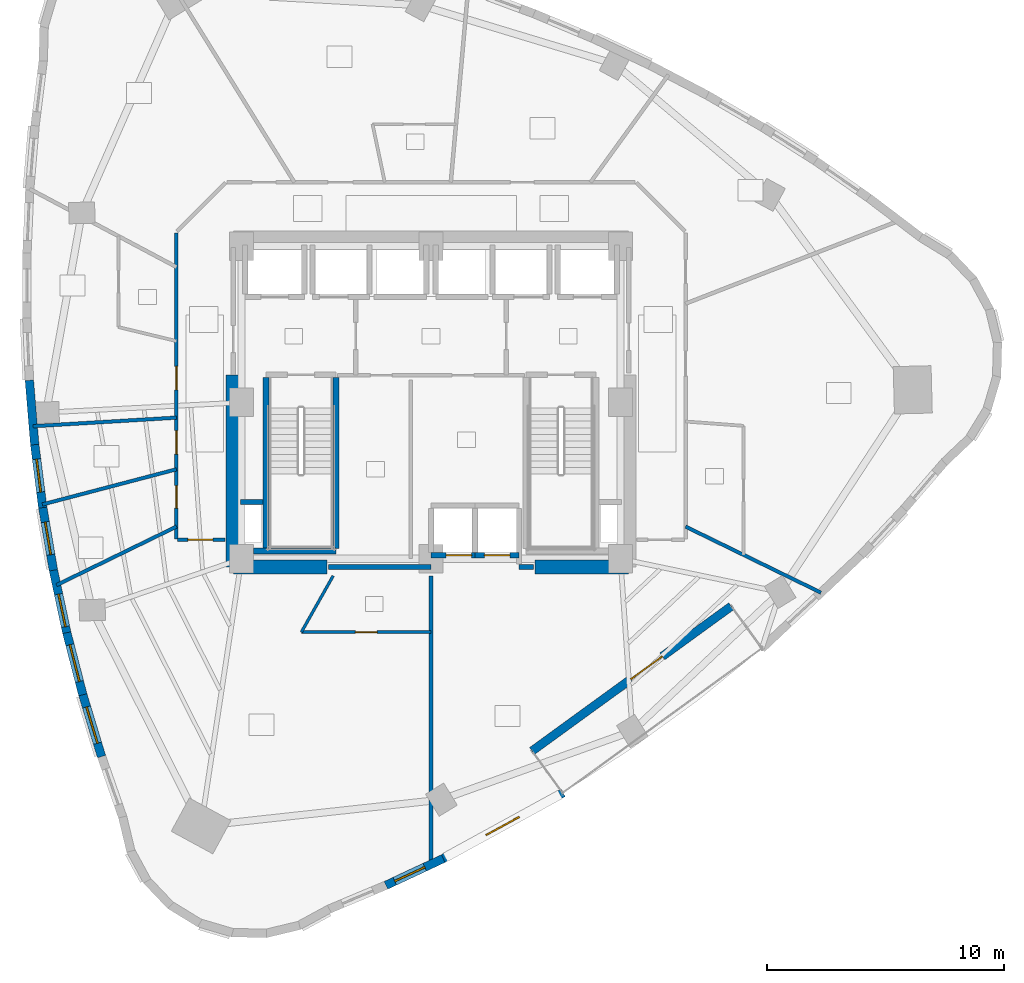
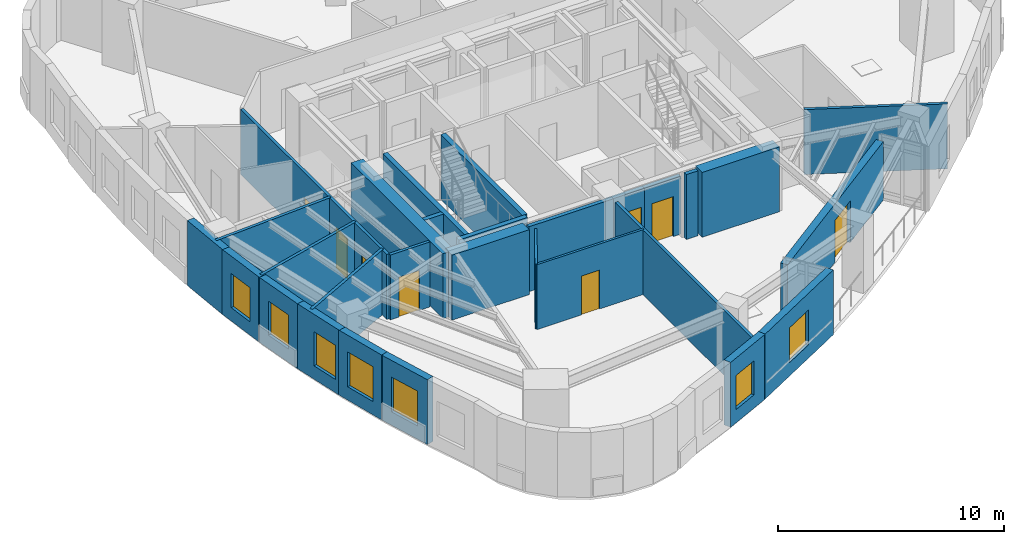
# One storey, part 5 of 11: 29 walls, 8 doors, 7 windows, 15 openings.
"""IFC4 building model written with IfcOpenShell, lengths in metres."""

from ifc_helpers import new_model, si_unit, direction, frame, frame_2d, origin, place, context, subcontext, project, spatial, rectangle, extrude, material, layer, layer_set, type_object, element, fill, save


model = new_model("IFC4")

# Units and contexts
model_context = context("Model", 3, precision=1e-05, world=origin(), true_north=direction((0.0, 1.0)))
body_context = subcontext(model_context, "Body", "Model", "MODEL_VIEW")
ifc_project = project(units=[si_unit("LENGTHUNIT", "METRE"), si_unit("AREAUNIT", "SQUARE_METRE"), si_unit("VOLUMEUNIT", "CUBIC_METRE"), si_unit("PLANEANGLEUNIT", "RADIAN"), si_unit("MASSUNIT", "GRAM", prefix="KILO")], contexts=[model_context])

# Site, building, storey
site_placement = place(None, origin())
site = spatial("IfcSite", under=ifc_project, at=site_placement, CompositionType="ELEMENT")
building_placement = place(site_placement, origin())
building = spatial("IfcBuilding", under=site, at=building_placement, Name="Ndelora Gate Hotel", CompositionType="ELEMENT")
storey_placement = place(building_placement, frame((0.0, 0.0, 146.0)))
storey = spatial("IfcBuildingStorey", under=building, at=storey_placement, Name="L36", CompositionType="ELEMENT", Elevation=146.0)

# Wall, opening, door
ifc_material_1 = material(Name="Clay Brick Masonry", Category="masonry")
ifc_layer_1 = layer(ifc_material_1, 0.360107421875)
ifc_layer_set_1 = layer_set([ifc_layer_1], Name="Clay Brick Masonry")
wall_type_1 = type_object("IfcWallType", Name="WL-BRICK-360", PredefinedType="SOLIDWALL", material=ifc_layer_set_1)
wall_1_placement = place(storey_placement, frame((12.68017578125, -8.60595703125, 0.0), z_axis=(0.0, 0.0, 1.0), x_axis=(-0.809015154073, -0.587787785243, 0.0)))
wall_1 = element("IfcWall", 1, at=wall_1_placement, inside=storey, type_object=wall_type_1, Name="L36 Sky-Garden Loggia Rear Brick Wall", PredefinedType="SOLIDWALL", context=body_context, shape_type="SweptSolid", body=[
    extrude(rectangle(XDim=10.400146484375, YDim=0.360107421875, at=frame_2d((5.2001953125, 0.0))), origin(), (0.0, 0.0, 1.0), 3.14990234375),
])
opening_1_placement = place(wall_1_placement, frame((3.60009765625, 0.0, 0.0)))
opening_1 = element("IfcOpeningElement", 2, at=opening_1_placement, cuts=wall_1, Name="Opening TD1", PredefinedType="OPENING", context=body_context, shape_type="SweptSolid", body=[
    extrude(rectangle(XDim=1.64990234375, YDim=2.25, at=frame_2d((0.824951171875, 1.125))), frame((0.0, 0.18994140625, 0.0), z_axis=(0.0, -1.0, 0.0), x_axis=(1.0, 0.0, 0.0)), (0.0, 0.0, 1.0), 0.380126953125),
])
ifc_material_2 = material(Name="Architectural Bronze Glazed Door", Category="metal")
door_type_1 = type_object("IfcDoorType", Name="DR-TER-1650", OperationType="DOUBLE_DOOR_SINGLE_SWING", PredefinedType="DOOR", material=ifc_material_2)
door_1_placement = place(opening_1_placement, origin())
door_1 = element("IfcDoor", 3, at=door_1_placement, inside=storey, type_object=door_type_1, Name="L36 Sky-Garden Terrace Double Door TD1", OperationType="DOUBLE_DOOR_SINGLE_SWING", OverallHeight=2.25, OverallWidth=1.64990234375, PredefinedType="DOOR", context=body_context, shape_type="SweptSolid", body=[
    extrude(rectangle(XDim=1.64990234375, YDim=2.25, at=frame_2d((0.824951171875, 1.125))), frame((0.0, 0.02490234375, 0.0), z_axis=(0.0, -1.0, 0.0), x_axis=(1.0, 0.0, 0.0)), (0.0, 0.0, 1.0), 0.050048828125),
])
fill(opening_1, door_1)

# Wall
wall_2_placement = place(storey_placement, frame((-16.73583984375, -1.7841796875, 0.0), z_axis=(0.0, 0.0, 1.0), x_axis=(-0.083363780418, 0.99651918201, 0.0)))
element("IfcWall", 4, at=wall_2_placement, inside=storey, type_object=wall_type_1, Name="L36 Tower Brick Pier-and-Spandrel Wall TWR-14", PredefinedType="SOLIDWALL", context=body_context, shape_type="SweptSolid", body=[
    extrude(rectangle(XDim=2.7294921875, YDim=0.360107421875, at=frame_2d((1.36474609375, 0.0))), origin(), (0.0, 0.0, 1.0), 3.5),
])

# Wall, opening, window
wall_3_placement = place(storey_placement, frame((-16.398193359375, -4.4423828125, 0.0), z_axis=(0.0, 0.0, 1.0), x_axis=(-0.125663758649, 0.992072890347, 0.0)))
wall_3 = element("IfcWall", 5, at=wall_3_placement, inside=storey, type_object=wall_type_1, Name="L36 Tower Brick Pier-and-Spandrel Wall TWR-15", PredefinedType="SOLIDWALL", context=body_context, shape_type="SweptSolid", body=[
    extrude(rectangle(XDim=2.729736328125, YDim=0.360107421875, at=frame_2d((1.36474609375, 0.0))), origin(), (0.0, 0.0, 1.0), 3.5),
])
opening_2_placement = place(wall_3_placement, frame((0.664794921875, 0.0, 0.719970703125)))
opening_2 = element("IfcOpeningElement", 6, at=opening_2_placement, cuts=wall_3, Name="Opening W02", PredefinedType="OPENING", context=body_context, shape_type="SweptSolid", body=[
    extrude(rectangle(XDim=1.39990234375, YDim=1.840087890625, at=frame_2d((0.699951171875, 0.919921875))), frame((0.0, 0.18994140625, 0.0), z_axis=(0.0, -1.0, 0.0), x_axis=(1.0, 0.0, 0.0)), (0.0, 0.0, 1.0), 0.380126953125),
])
ifc_material_3 = material(Name="Insulated Low-E Double Glazing in Bronze Aluminium Frame", Category="aluminium")
window_type_1 = type_object("IfcWindowType", Name="WN-DEEP-1400", PartitioningType="SINGLE_PANEL", PredefinedType="WINDOW", material=ifc_material_3)
window_1_placement = place(opening_2_placement, origin())
window_1 = element("IfcWindow", 7, at=window_1_placement, inside=storey, type_object=window_type_1, Name="L36 Deep-Set Brick-Pier Window W02", OverallHeight=1.840087890625, OverallWidth=1.39990234375, PartitioningType="SINGLE_PANEL", PredefinedType="WINDOW", context=body_context, shape_type="SweptSolid", body=[
    extrude(rectangle(XDim=1.39990234375, YDim=1.840087890625, at=frame_2d((0.699951171875, 0.919921875))), frame((0.0, 0.030029296875, 0.0), z_axis=(0.0, -1.0, 0.0), x_axis=(1.0, 0.0, 0.0)), (0.0, 0.0, 1.0), 0.06005859375),
])
fill(opening_2, window_1)

wall_4_placement = place(storey_placement, frame((-15.947265625, -7.088623046875, 0.0), z_axis=(0.0, 0.0, 1.0), x_axis=(-0.167598097405, 0.985855404076, 0.0)))
wall_4 = element("IfcWall", 8, at=wall_4_placement, inside=storey, type_object=wall_type_1, Name="L36 Tower Brick Pier-and-Spandrel Wall TWR-16", PredefinedType="SOLIDWALL", context=body_context, shape_type="SweptSolid", body=[
    extrude(rectangle(XDim=2.734130859375, YDim=0.360107421875, at=frame_2d((1.3671875, 0.0))), origin(), (0.0, 0.0, 1.0), 3.5),
])
opening_3_placement = place(wall_4_placement, frame((0.667236328125, 0.0, 0.719970703125)))
opening_3 = element("IfcOpeningElement", 9, at=opening_3_placement, cuts=wall_4, Name="Opening W02", PredefinedType="OPENING", context=body_context, shape_type="SweptSolid", body=[
    extrude(rectangle(XDim=1.39990234375, YDim=1.840087890625, at=frame_2d((0.699951171875, 0.919921875))), frame((0.0, 0.18994140625, 0.0), z_axis=(0.0, -1.0, 0.0), x_axis=(1.0, 0.0, 0.0)), (0.0, 0.0, 1.0), 0.380126953125),
])
window_2_placement = place(opening_3_placement, origin())
window_2 = element("IfcWindow", 10, at=window_2_placement, inside=storey, type_object=window_type_1, Name="L36 Deep-Set Brick-Pier Window W02", OverallHeight=1.840087890625, OverallWidth=1.39990234375, PartitioningType="SINGLE_PANEL", PredefinedType="WINDOW", context=body_context, shape_type="SweptSolid", body=[
    extrude(rectangle(XDim=1.39990234375, YDim=1.840087890625, at=frame_2d((0.699951171875, 0.919921875))), frame((0.0, 0.030029296875, 0.0), z_axis=(0.0, -1.0, 0.0), x_axis=(1.0, 0.0, 0.0)), (0.0, 0.0, 1.0), 0.06005859375),
])
fill(opening_3, window_2)

wall_5_placement = place(storey_placement, frame((-15.383056640625, -9.722900390625, 0.0), z_axis=(0.0, 0.0, 1.0), x_axis=(-0.209000421091, 0.977915550538, 0.0)))
wall_5 = element("IfcWall", 11, at=wall_5_placement, inside=storey, type_object=wall_type_1, Name="L36 Tower Brick Pier-and-Spandrel Wall TWR-17", PredefinedType="SOLIDWALL", context=body_context, shape_type="SweptSolid", body=[
    extrude(rectangle(XDim=2.743896484375, YDim=0.360107421875, at=frame_2d((1.3720703125, 0.0))), origin(), (0.0, 0.0, 1.0), 3.5),
])
opening_4_placement = place(wall_5_placement, frame((0.260009765625, 0.0, 0.719970703125)))
opening_4 = element("IfcOpeningElement", 12, at=opening_4_placement, cuts=wall_5, Name="Opening W02", PredefinedType="OPENING", context=body_context, shape_type="SweptSolid", body=[
    extrude(rectangle(XDim=1.39990234375, YDim=1.840087890625, at=frame_2d((0.699951171875, 0.919921875))), frame((0.0, 0.18994140625, 0.0), z_axis=(0.0, -1.0, 0.0), x_axis=(1.0, 0.0, 0.0)), (0.0, 0.0, 1.0), 0.380126953125),
])
window_3_placement = place(opening_4_placement, origin())
window_3 = element("IfcWindow", 13, at=window_3_placement, inside=storey, type_object=window_type_1, Name="L36 Deep-Set Brick-Pier Window W02", OverallHeight=1.840087890625, OverallWidth=1.39990234375, PartitioningType="SINGLE_PANEL", PredefinedType="WINDOW", context=body_context, shape_type="SweptSolid", body=[
    extrude(rectangle(XDim=1.39990234375, YDim=1.840087890625, at=frame_2d((0.699951171875, 0.919921875))), frame((0.0, 0.030029296875, 0.0), z_axis=(0.0, -1.0, 0.0), x_axis=(1.0, 0.0, 0.0)), (0.0, 0.0, 1.0), 0.06005859375),
])
fill(opening_4, window_3)

wall_6_placement = place(storey_placement, frame((-14.70556640625, -12.34521484375, 0.0), z_axis=(0.0, 0.0, 1.0), x_axis=(-0.249693304339, 0.968324973224, 0.0)))
wall_6 = element("IfcWall", 14, at=wall_6_placement, inside=storey, type_object=wall_type_1, Name="L36 Tower Brick Pier-and-Spandrel Wall TWR-18", PredefinedType="SOLIDWALL", context=body_context, shape_type="SweptSolid", body=[
    extrude(rectangle(XDim=2.75830078125, YDim=0.360107421875, at=frame_2d((1.379150390625, 0.0))), origin(), (0.0, 0.0, 1.0), 3.5),
])
opening_5_placement = place(wall_6_placement, frame((0.5791015625, 0.0, 0.719970703125)))
opening_5 = element("IfcOpeningElement", 15, at=opening_5_placement, cuts=wall_6, Name="Opening W01", PredefinedType="OPENING", context=body_context, shape_type="SweptSolid", body=[
    extrude(rectangle(XDim=1.60009765625, YDim=1.8798828125, at=frame_2d((0.800048828125, 0.93994140625))), frame((0.0, 0.18994140625, 0.0), z_axis=(0.0, -1.0, 0.0), x_axis=(1.0, 0.0, 0.0)), (0.0, 0.0, 1.0), 0.380126953125),
])
window_type_2 = type_object("IfcWindowType", Name="WN-DEEP-1600", PartitioningType="SINGLE_PANEL", PredefinedType="WINDOW", material=ifc_material_3)
window_4_placement = place(opening_5_placement, origin())
window_4 = element("IfcWindow", 16, at=window_4_placement, inside=storey, type_object=window_type_2, Name="L36 Deep-Set Brick-Pier Window W01", OverallHeight=1.8798828125, OverallWidth=1.60009765625, PartitioningType="SINGLE_PANEL", PredefinedType="WINDOW", context=body_context, shape_type="SweptSolid", body=[
    extrude(rectangle(XDim=1.60009765625, YDim=1.8798828125, at=frame_2d((0.800048828125, 0.93994140625))), frame((0.0, 0.030029296875, 0.0), z_axis=(0.0, -1.0, 0.0), x_axis=(1.0, 0.0, 0.0)), (0.0, 0.0, 1.0), 0.06005859375),
])
fill(opening_5, window_4)

wall_7_placement = place(storey_placement, frame((-13.914794921875, -14.955810546875, 0.0), z_axis=(0.0, 0.0, 1.0), x_axis=(-0.289524345403, 0.957170650103, 0.0)))
wall_7 = element("IfcWall", 17, at=wall_7_placement, inside=storey, type_object=wall_type_1, Name="L36 Tower Brick Pier-and-Spandrel Wall TWR-19", PredefinedType="SOLIDWALL", context=body_context, shape_type="SweptSolid", body=[
    extrude(rectangle(XDim=2.777587890625, YDim=0.360107421875, at=frame_2d((1.388671875, 0.0))), origin(), (0.0, 0.0, 1.0), 3.5),
])
opening_6_placement = place(wall_7_placement, frame((0.5888671875, 0.0, 0.719970703125)))
opening_6 = element("IfcOpeningElement", 18, at=opening_6_placement, cuts=wall_7, Name="Opening W01", PredefinedType="OPENING", context=body_context, shape_type="SweptSolid", body=[
    extrude(rectangle(XDim=1.60009765625, YDim=1.8798828125, at=frame_2d((0.800048828125, 0.93994140625))), frame((0.0, 0.18994140625, 0.0), z_axis=(0.0, -1.0, 0.0), x_axis=(1.0, 0.0, 0.0)), (0.0, 0.0, 1.0), 0.380126953125),
])
window_5_placement = place(opening_6_placement, origin())
window_5 = element("IfcWindow", 19, at=window_5_placement, inside=storey, type_object=window_type_2, Name="L36 Deep-Set Brick-Pier Window W01", OverallHeight=1.8798828125, OverallWidth=1.60009765625, PartitioningType="SINGLE_PANEL", PredefinedType="WINDOW", context=body_context, shape_type="SweptSolid", body=[
    extrude(rectangle(XDim=1.60009765625, YDim=1.8798828125, at=frame_2d((0.800048828125, 0.93994140625))), frame((0.0, 0.030029296875, 0.0), z_axis=(0.0, -1.0, 0.0), x_axis=(1.0, 0.0, 0.0)), (0.0, 0.0, 1.0), 0.06005859375),
])
fill(opening_6, window_5)

wall_8_placement = place(storey_placement, frame((0.515380859375, -19.262939453125, 0.0), z_axis=(0.0, 0.0, 1.0), x_axis=(-0.906085000499, -0.423095700606, 0.0)))
wall_8 = element("IfcWall", 20, at=wall_8_placement, inside=storey, type_object=wall_type_1, Name="L36 Tower Brick Pier-and-Spandrel Wall TWR-30", PredefinedType="SOLIDWALL", context=body_context, shape_type="SweptSolid", body=[
    extrude(rectangle(XDim=2.669921875, YDim=0.360107421875, at=frame_2d((1.3349609375, 0.0))), origin(), (0.0, 0.0, 1.0), 3.5),
])
opening_7_placement = place(wall_8_placement, frame((0.860107421875, 0.0, 0.719970703125)))
opening_7 = element("IfcOpeningElement", 21, at=opening_7_placement, cuts=wall_8, Name="Opening W02", PredefinedType="OPENING", context=body_context, shape_type="SweptSolid", body=[
    extrude(rectangle(XDim=1.39990234375, YDim=1.840087890625, at=frame_2d((0.699951171875, 0.919921875))), frame((0.0, 0.18994140625, 0.0), z_axis=(0.0, -1.0, 0.0), x_axis=(1.0, 0.0, 0.0)), (0.0, 0.0, 1.0), 0.380126953125),
])
window_6_placement = place(opening_7_placement, origin())
window_6 = element("IfcWindow", 22, at=window_6_placement, inside=storey, type_object=window_type_1, Name="L36 Deep-Set Brick-Pier Window W02", OverallHeight=1.840087890625, OverallWidth=1.39990234375, PartitioningType="SINGLE_PANEL", PredefinedType="WINDOW", context=body_context, shape_type="SweptSolid", body=[
    extrude(rectangle(XDim=1.39990234375, YDim=1.840087890625, at=frame_2d((0.699951171875, 0.919921875))), frame((0.0, 0.030029296875, 0.0), z_axis=(0.0, -1.0, 0.0), x_axis=(1.0, 0.0, 0.0)), (0.0, 0.0, 1.0), 0.06005859375),
])
fill(opening_7, window_6)

wall_9_placement = place(storey_placement, frame((5.581298828125, -16.48681640625, 0.0), z_axis=(0.0, 0.0, 1.0), x_axis=(-0.877084079585, -0.480336879012, 0.0)))
wall_9 = element("IfcWall", 23, at=wall_9_placement, inside=storey, type_object=wall_type_1, Name="L36 Tower Brick Pier-and-Spandrel Wall TWR-31", PredefinedType="SOLIDWALL", context=body_context, shape_type="SweptSolid", body=[
    extrude(rectangle(XDim=5.826904296875, YDim=0.360107421875, at=frame_2d((2.91357421875, 0.0))), origin(), (0.0, 0.0, 1.0), 3.5),
])
opening_8_placement = place(wall_9_placement, frame((2.11328125, 0.0, 0.719970703125)))
opening_8 = element("IfcOpeningElement", 24, at=opening_8_placement, cuts=wall_9, Name="Opening W01", PredefinedType="OPENING", context=body_context, shape_type="SweptSolid", body=[
    extrude(rectangle(XDim=1.60009765625, YDim=1.8798828125, at=frame_2d((0.800048828125, 0.93994140625))), frame((0.0, 0.18994140625, 0.0), z_axis=(0.0, -1.0, 0.0), x_axis=(1.0, 0.0, 0.0)), (0.0, 0.0, 1.0), 0.380126953125),
])
window_7_placement = place(opening_8_placement, origin())
window_7 = element("IfcWindow", 25, at=window_7_placement, inside=storey, type_object=window_type_2, Name="L36 Deep-Set Brick-Pier Window W01", OverallHeight=1.8798828125, OverallWidth=1.60009765625, PartitioningType="SINGLE_PANEL", PredefinedType="WINDOW", context=body_context, shape_type="SweptSolid", body=[
    extrude(rectangle(XDim=1.60009765625, YDim=1.8798828125, at=frame_2d((0.800048828125, 0.93994140625))), frame((0.0, 0.030029296875, 0.0), z_axis=(0.0, -1.0, 0.0), x_axis=(1.0, 0.0, 0.0)), (0.0, 0.0, 1.0), 0.06005859375),
])
fill(opening_8, window_7)

# Walls
ifc_material_4 = material(Name="Concrete C60/75", Category="concrete")
ifc_layer_2 = layer(ifc_material_4, 0.60009765625)
ifc_layer_set_2 = layer_set([ifc_layer_2], Name="Concrete C60/75")
wall_type_2 = type_object("IfcWallType", Name="WL-CORE-600", PredefinedType="SHEAR", material=ifc_layer_set_2)
for number, where, z_axis, x_axis, name in (
    (26, (-8.35009765625, -6.949951171875, 0.0), (0.0, 0.0, 1.0), (1.0, 0.0, 0.0), "L36 Core Shear Wall S-W"),
    (27, (4.39990234375, -6.949951171875, 0.0), (0.0, 0.0, 1.0), (1.0, 0.0, 0.0), "L36 Core Shear Wall S-E"),
):
    element("IfcWall", number, at=place(storey_placement, frame(where, z_axis=z_axis, x_axis=x_axis)), inside=storey, type_object=wall_type_2, Name=name, PredefinedType="SHEAR", context=body_context, shape_type="SweptSolid", body=[
        extrude(rectangle(XDim=3.9501953125, YDim=0.60009765625, at=frame_2d((1.97509765625, 0.0))), origin(), (0.0, 0.0, 1.0), 3.5),
    ])
wall_10_placement = place(storey_placement, frame((-8.35009765625, -6.949951171875, 0.0), z_axis=(0.0, 0.0, 1.0), x_axis=(0.0, 1.0, 0.0)))
element("IfcWall", 28, at=wall_10_placement, inside=storey, type_object=wall_type_2, Name="L36 Core Shear Wall W", PredefinedType="SHEAR", context=body_context, shape_type="SweptSolid", body=[
    extrude(rectangle(XDim=8.099853515625, YDim=0.60009765625, at=frame_2d((4.0498046875, 0.0))), origin(), (0.0, 0.0, 1.0), 3.5),
])
ifc_material_5 = material(Name="Concrete C40/50", Category="concrete")
ifc_layer_3 = layer(ifc_material_5, 0.199951171875)
ifc_layer_set_3 = layer_set([ifc_layer_3], Name="Concrete C40/50")
wall_type_3 = type_object("IfcWallType", Name="WL-FIRE-200", PredefinedType="PARTITIONING", material=ifc_layer_set_3)
wall_11_placement = place(storey_placement, frame((-4.320068359375, -6.949951171875, 0.0), z_axis=(0.0, 0.0, 1.0), x_axis=(1.0, 0.0, 0.0)))
element("IfcWall", 29, at=wall_11_placement, inside=storey, type_object=wall_type_3, Name="L36 Interior Wall IW-2", PredefinedType="PARTITIONING", context=body_context, shape_type="SweptSolid", body=[
    extrude(rectangle(XDim=4.320068359375, YDim=0.199951171875, at=frame_2d((2.16015625, 0.0))), origin(), (0.0, 0.0, 1.0), 3.5),
])
wall_12_placement = place(storey_placement, frame((3.719970703125, -6.949951171875, 0.0), z_axis=(0.0, 0.0, 1.0), x_axis=(1.0, 0.0, 0.0)))
element("IfcWall", 30, at=wall_12_placement, inside=storey, type_object=wall_type_3, Name="L36 Interior Wall IW-2", PredefinedType="PARTITIONING", context=body_context, shape_type="SweptSolid", body=[
    extrude(rectangle(XDim=0.60009765625, YDim=0.199951171875, at=frame_2d((0.300048828125, 0.0))), origin(), (0.0, 0.0, 1.0), 3.5),
])

# Wall, opening, door
ifc_material_6 = material(Name="Fire-Rated Gypsum Stud Partition", Category="gypsum")
ifc_layer_4 = layer(ifc_material_6, 0.14990234375)
ifc_layer_set_4 = layer_set([ifc_layer_4], Name="Fire-Rated Gypsum Stud Partition")
wall_type_4 = type_object("IfcWallType", Name="WL-PART-150", PredefinedType="PARTITIONING", material=ifc_layer_set_4)
wall_13_placement = place(storey_placement, frame((-8.68994140625, -5.800048828125, 0.0), z_axis=(0.0, 0.0, 1.0), x_axis=(-1.0, 0.0, 0.0)))
wall_13 = element("IfcWall", 31, at=wall_13_placement, inside=storey, type_object=wall_type_4, Name="L36 Interior Wall IW-5", PredefinedType="PARTITIONING", context=body_context, shape_type="SweptSolid", body=[
    extrude(rectangle(XDim=2.02001953125, YDim=0.14990234375, at=frame_2d((1.010009765625, 0.0))), origin(), (0.0, 0.0, 1.0), 3.5),
])
opening_9_placement = place(wall_13_placement, frame((0.52001953125, 0.0, 0.0)))
opening_9 = element("IfcOpeningElement", 32, at=opening_9_placement, cuts=wall_13, Name="Opening D07", PredefinedType="OPENING", context=body_context, shape_type="SweptSolid", body=[
    extrude(rectangle(XDim=1.06005859375, YDim=2.14990234375, at=frame_2d((0.530029296875, 1.074951171875))), frame((0.0, 0.0849609375, 0.0), z_axis=(0.0, -1.0, 0.0), x_axis=(1.0, 0.0, 0.0)), (0.0, 0.0, 1.0), 0.169921875),
])
ifc_material_7 = material(Name="Diplomatic Suite Acoustic Entrance Door", Category="wood")
door_type_2 = type_object("IfcDoorType", Name="DR-SUITE-1060", OperationType="SINGLE_SWING_LEFT", PredefinedType="DOOR", material=ifc_material_7)
door_2_placement = place(opening_9_placement, origin())
door_2 = element("IfcDoor", 33, at=door_2_placement, inside=storey, type_object=door_type_2, Name="L36 Ambassador Corner Suite 3901 Entrance Door", OperationType="SINGLE_SWING_LEFT", OverallHeight=2.14990234375, OverallWidth=1.06005859375, PredefinedType="DOOR", context=body_context, shape_type="SweptSolid", body=[
    extrude(rectangle(XDim=1.06005859375, YDim=2.14990234375, at=frame_2d((0.530029296875, 1.074951171875))), frame((0.0, 0.02490234375, 0.0), z_axis=(0.0, -1.0, 0.0), x_axis=(1.0, 0.0, 0.0)), (0.0, 0.0, 1.0), 0.050048828125),
])
fill(opening_9, door_2)

# Wall, openings, doors
wall_14_placement = place(storey_placement, frame((-10.75, -5.760009765625, 0.0), z_axis=(0.0, 0.0, 1.0), x_axis=(0.0, 1.0, 0.0)))
wall_14 = element("IfcWall", 34, at=wall_14_placement, inside=storey, type_object=wall_type_4, Name="L36 Interior Wall IW-5", PredefinedType="PARTITIONING", context=body_context, shape_type="SweptSolid", body=[
    extrude(rectangle(XDim=12.919921875, YDim=0.14990234375, at=frame_2d((6.4599609375, 0.0))), origin(), (0.0, 0.0, 1.0), 3.5),
])
opening_10_placement = place(wall_14_placement, frame((1.29345703125, 0.0, 0.0)))
opening_10 = element("IfcOpeningElement", 35, at=opening_10_placement, cuts=wall_14, Name="Opening D05", PredefinedType="OPENING", context=body_context, shape_type="SweptSolid", body=[
    extrude(rectangle(XDim=0.949951171875, YDim=2.10009765625, at=frame_2d((0.47509765625, 1.050048828125))), frame((0.0, 0.0849609375, 0.0), z_axis=(0.0, -1.0, 0.0), x_axis=(1.0, 0.0, 0.0)), (0.0, 0.0, 1.0), 0.169921875),
])
opening_11_placement = place(wall_14_placement, frame((3.575439453125, 0.0, 0.0)))
opening_11 = element("IfcOpeningElement", 36, at=opening_11_placement, cuts=wall_14, Name="Opening D01", PredefinedType="OPENING", context=body_context, shape_type="SweptSolid", body=[
    extrude(rectangle(XDim=1.0, YDim=2.14990234375, at=frame_2d((0.5, 1.074951171875))), frame((0.0, 0.0849609375, 0.0), z_axis=(0.0, -1.0, 0.0), x_axis=(1.0, 0.0, 0.0)), (0.0, 0.0, 1.0), 0.169921875),
])
opening_12_placement = place(wall_14_placement, frame((6.286865234375, 0.0, 0.0)))
opening_12 = element("IfcOpeningElement", 37, at=opening_12_placement, cuts=wall_14, Name="Opening D01", PredefinedType="OPENING", context=body_context, shape_type="SweptSolid", body=[
    extrude(rectangle(XDim=1.0, YDim=2.14990234375, at=frame_2d((0.5, 1.074951171875))), frame((0.0, 0.0849609375, 0.0), z_axis=(0.0, -1.0, 0.0), x_axis=(1.0, 0.0, 0.0)), (0.0, 0.0, 1.0), 0.169921875),
])
ifc_material_8 = material(Name="Accessible Restroom Wide-Clearance Door", Category="wood")
door_type_3 = type_object("IfcDoorType", Name="DR-ACC-950", OperationType="SINGLE_SWING_LEFT", PredefinedType="DOOR", material=ifc_material_8)
door_3_placement = place(opening_10_placement, origin())
door_3 = element("IfcDoor", 38, at=door_3_placement, inside=storey, type_object=door_type_3, Name="L36 Accessible WC Entrance Door", OperationType="SINGLE_SWING_RIGHT", OverallHeight=2.10009765625, OverallWidth=0.949951171875, PredefinedType="DOOR", context=body_context, shape_type="SweptSolid", body=[
    extrude(rectangle(XDim=0.949951171875, YDim=2.10009765625, at=frame_2d((0.47509765625, 1.050048828125))), frame((0.0, 0.02490234375, 0.0), z_axis=(0.0, -1.0, 0.0), x_axis=(1.0, 0.0, 0.0)), (0.0, 0.0, 1.0), 0.050048828125),
])
fill(opening_10, door_3)
ifc_material_9 = material(Name="Acoustic Hardwood Guest Entrance Door", Category="wood")
door_type_4 = type_object("IfcDoorType", Name="DR-COR-1000", OperationType="SINGLE_SWING_LEFT", PredefinedType="DOOR", material=ifc_material_9)
door_4_placement = place(opening_11_placement, origin())
door_4 = element("IfcDoor", 39, at=door_4_placement, inside=storey, type_object=door_type_4, Name="L36 Housekeeping and Linen Room Entrance Door", OperationType="SINGLE_SWING_LEFT", OverallHeight=2.14990234375, OverallWidth=1.0, PredefinedType="DOOR", context=body_context, shape_type="SweptSolid", body=[
    extrude(rectangle(XDim=1.0, YDim=2.14990234375, at=frame_2d((0.5, 1.074951171875))), frame((0.0, 0.02490234375, 0.0), z_axis=(0.0, -1.0, 0.0), x_axis=(1.0, 0.0, 0.0)), (0.0, 0.0, 1.0), 0.050048828125),
])
fill(opening_11, door_4)
door_5_placement = place(opening_12_placement, origin())
door_5 = element("IfcDoor", 40, at=door_5_placement, inside=storey, type_object=door_type_4, Name="L36 Club King Guest Room 3904 Entrance Door", OperationType="SINGLE_SWING_RIGHT", OverallHeight=2.14990234375, OverallWidth=1.0, PredefinedType="DOOR", context=body_context, shape_type="SweptSolid", body=[
    extrude(rectangle(XDim=1.0, YDim=2.14990234375, at=frame_2d((0.5, 1.074951171875))), frame((0.0, 0.02490234375, 0.0), z_axis=(0.0, -1.0, 0.0), x_axis=(1.0, 0.0, 0.0)), (0.0, 0.0, 1.0), 0.050048828125),
])
fill(opening_12, door_5)

# Walls
wall_15_placement = place(storey_placement, frame((-10.75, -5.2431640625, 0.0), z_axis=(0.0, 0.0, 1.0), x_axis=(-0.898795936553, -0.438367271172, 0.0)))
element("IfcWall", 41, at=wall_15_placement, inside=storey, type_object=wall_type_4, Name="L36 Interior Wall IW-5", PredefinedType="PARTITIONING", context=body_context, shape_type="SweptSolid", body=[
    extrude(rectangle(XDim=5.6328125, YDim=0.14990234375, at=frame_2d((2.81640625, 0.0))), origin(), (0.0, 0.0, 1.0), 3.5),
])
wall_16_placement = place(storey_placement, frame((0.0, -7.320068359375, 0.0), z_axis=(0.0, 0.0, 1.0), x_axis=(0.0, -1.0, 0.0)))
element("IfcWall", 42, at=wall_16_placement, inside=storey, type_object=wall_type_4, Name="L36 Interior Wall IW-5", PredefinedType="PARTITIONING", context=body_context, shape_type="SweptSolid", body=[
    extrude(rectangle(XDim=12.18359375, YDim=0.14990234375, at=frame_2d((6.091796875, 0.0))), origin(), (0.0, 0.0, 1.0), 3.5),
])
wall_17_placement = place(storey_placement, frame((10.75, -5.2431640625, 0.0), z_axis=(0.0, 0.0, 1.0), x_axis=(0.898794987621, -0.438369216787, 0.0)))
element("IfcWall", 43, at=wall_17_placement, inside=storey, type_object=wall_type_4, Name="L36 Interior Wall IW-5", PredefinedType="PARTITIONING", context=body_context, shape_type="SweptSolid", body=[
    extrude(rectangle(XDim=6.364501953125, YDim=0.14990234375, at=frame_2d((3.18212890625, 0.0))), origin(), (0.0, 0.0, 1.0), 3.5),
])
wall_18_placement = place(storey_placement, frame((-10.75, -0.6416015625, 0.0), z_axis=(0.0, 0.0, 1.0), x_axis=(-0.9982220436, -0.059604963468, 0.0)))
element("IfcWall", 44, at=wall_18_placement, inside=storey, type_object=wall_type_4, Name="L36 Interior Wall IW-5", PredefinedType="PARTITIONING", context=body_context, shape_type="SweptSolid", body=[
    extrude(rectangle(XDim=6.06201171875, YDim=0.14990234375, at=frame_2d((3.031005859375, 0.0))), origin(), (0.0, 0.0, 1.0), 3.5),
])
wall_19_placement = place(storey_placement, frame((-10.75, -2.82177734375, 0.0), z_axis=(0.0, 0.0, 1.0), x_axis=(-0.967231477209, -0.253896178576, 0.0)))
element("IfcWall", 45, at=wall_19_placement, inside=storey, type_object=wall_type_4, Name="L36 Interior Wall IW-5", PredefinedType="PARTITIONING", context=body_context, shape_type="SweptSolid", body=[
    extrude(rectangle(XDim=5.85693359375, YDim=0.14990234375, at=frame_2d((2.928466796875, 0.0))), origin(), (0.0, 0.0, 1.0), 3.5),
])
ifc_layer_5 = layer(ifc_material_5, 0.219970703125)
ifc_layer_set_5 = layer_set([ifc_layer_5], Name="Concrete C40/50")
wall_type_5 = type_object("IfcWallType", Name="WL-SHAFT-220", PredefinedType="PARTITIONING", material=ifc_layer_set_5)
wall_20_placement = place(storey_placement, frame((-8.050048828125, -4.199951171875, 0.0), z_axis=(0.0, 0.0, 1.0), x_axis=(1.0, 0.0, 0.0)))
element("IfcWall", 46, at=wall_20_placement, inside=storey, type_object=wall_type_5, Name="L36 Interior Wall IW-1", PredefinedType="PARTITIONING", context=body_context, shape_type="SweptSolid", body=[
    extrude(rectangle(XDim=0.9599609375, YDim=0.219970703125, at=frame_2d((0.47998046875, 0.0))), origin(), (0.0, 0.0, 1.0), 3.5),
])

# Wall, opening, door
wall_21_placement = place(storey_placement, frame((0.0, -6.449951171875, 0.0), z_axis=(0.0, 0.0, 1.0), x_axis=(1.0, 0.0, 0.0)))
wall_21 = element("IfcWall", 47, at=wall_21_placement, inside=storey, type_object=wall_type_5, Name="L36 Interior Wall IW-1", PredefinedType="PARTITIONING", context=body_context, shape_type="SweptSolid", body=[
    extrude(rectangle(XDim=1.860107421875, YDim=0.219970703125, at=frame_2d((0.93017578125, 0.0))), origin(), (0.0, 0.0, 1.0), 3.1201171875),
])
opening_13_placement = place(wall_21_placement, frame((0.639892578125, 0.0, 0.0)))
opening_13 = element("IfcOpeningElement", 48, at=opening_13_placement, cuts=wall_21, Name="Opening LD2", PredefinedType="OPENING", context=body_context, shape_type="SweptSolid", body=[
    extrude(rectangle(XDim=1.080078125, YDim=2.14990234375, at=frame_2d((0.5400390625, 1.074951171875))), frame((0.0, 0.1201171875, 0.0), z_axis=(0.0, -1.0, 0.0), x_axis=(1.0, 0.0, 0.0)), (0.0, 0.0, 1.0), 0.239990234375),
])
ifc_material_10 = material(Name="Brushed Bronze Stainless Lift Landing Door", Category="metal")
door_type_5 = type_object("IfcDoorType", Name="DR-LD2", OperationType="DOUBLE_DOOR_SLIDING", PredefinedType="DOOR", material=ifc_material_10)
door_6_placement = place(opening_13_placement, origin())
door_6 = element("IfcDoor", 49, at=door_6_placement, inside=storey, type_object=door_type_5, Name="L36 Lift Landing Sliding Door P2A", OperationType="DOUBLE_DOOR_SLIDING", OverallHeight=2.14990234375, OverallWidth=1.080078125, PredefinedType="DOOR", context=body_context, shape_type="SweptSolid", body=[
    extrude(rectangle(XDim=1.080078125, YDim=2.14990234375, at=frame_2d((0.5400390625, 1.074951171875))), frame((0.0, 0.02490234375, 0.0), z_axis=(0.0, -1.0, 0.0), x_axis=(1.0, 0.0, 0.0)), (0.0, 0.0, 1.0), 0.050048828125),
])
fill(opening_13, door_6)

wall_22_placement = place(storey_placement, frame((1.860107421875, -6.449951171875, 0.0), z_axis=(0.0, 0.0, 1.0), x_axis=(1.0, 0.0, 0.0)))
wall_22 = element("IfcWall", 50, at=wall_22_placement, inside=storey, type_object=wall_type_5, Name="L36 Interior Wall IW-1", PredefinedType="PARTITIONING", context=body_context, shape_type="SweptSolid", body=[
    extrude(rectangle(XDim=1.85986328125, YDim=0.219970703125, at=frame_2d((0.929931640625, 0.0))), origin(), (0.0, 0.0, 1.0), 3.1201171875),
])
opening_14_placement = place(wall_22_placement, frame((0.389892578125, 0.0, 0.0)))
opening_14 = element("IfcOpeningElement", 51, at=opening_14_placement, cuts=wall_22, Name="Opening LD2", PredefinedType="OPENING", context=body_context, shape_type="SweptSolid", body=[
    extrude(rectangle(XDim=1.080078125, YDim=2.14990234375, at=frame_2d((0.5400390625, 1.074951171875))), frame((0.0, 0.1201171875, 0.0), z_axis=(0.0, -1.0, 0.0), x_axis=(1.0, 0.0, 0.0)), (0.0, 0.0, 1.0), 0.239990234375),
])
door_7_placement = place(opening_14_placement, origin())
door_7 = element("IfcDoor", 52, at=door_7_placement, inside=storey, type_object=door_type_5, Name="L36 Lift Landing Sliding Door P2B", OperationType="DOUBLE_DOOR_SLIDING", OverallHeight=2.14990234375, OverallWidth=1.080078125, PredefinedType="DOOR", context=body_context, shape_type="SweptSolid", body=[
    extrude(rectangle(XDim=1.080078125, YDim=2.14990234375, at=frame_2d((0.5400390625, 1.074951171875))), frame((0.0, 0.02490234375, 0.0), z_axis=(0.0, -1.0, 0.0), x_axis=(1.0, 0.0, 0.0)), (0.0, 0.0, 1.0), 0.050048828125),
])
fill(opening_14, door_7)

# Walls
ifc_material_11 = material(Name="Concrete C50/60", Category="concrete")
ifc_layer_6 = layer(ifc_material_11, 0.239990234375)
ifc_layer_set_6 = layer_set([ifc_layer_6], Name="Concrete C50/60")
wall_type_6 = type_object("IfcWallType", Name="WL-STAIR-240", PredefinedType="SHEAR", material=ifc_layer_set_6)
wall_23_placement = place(storey_placement, frame((-6.969970703125, -6.159912109375, 0.0), z_axis=(0.0, 0.0, 1.0), x_axis=(0.0, 1.0, 0.0)))
element("IfcWall", 53, at=wall_23_placement, inside=storey, type_object=wall_type_6, Name="L36 Stair Core Shear Wall SW-ST", PredefinedType="SHEAR", context=body_context, shape_type="SweptSolid", body=[
    extrude(rectangle(XDim=7.219970703125, YDim=0.239990234375, at=frame_2d((3.60986328125, 0.0))), origin(), (0.0, 0.0, 1.0), 3.5),
])
wall_24_placement = place(storey_placement, frame((-7.5, -6.27001953125, 0.0), z_axis=(0.0, 0.0, 1.0), x_axis=(1.0, 0.0, 0.0)))
element("IfcWall", 54, at=wall_24_placement, inside=storey, type_object=wall_type_6, Name="L36 Stair Core Shear Wall SW-ST", PredefinedType="SHEAR", context=body_context, shape_type="SweptSolid", body=[
    extrude(rectangle(XDim=3.489990234375, YDim=0.239990234375, at=frame_2d((1.7451171875, 0.0))), origin(), (0.0, 0.0, 1.0), 3.5),
])
wall_25_placement = place(storey_placement, frame((-4.010009765625, -6.159912109375, 0.0), z_axis=(0.0, 0.0, 1.0), x_axis=(0.0, 1.0, 0.0)))
element("IfcWall", 55, at=wall_25_placement, inside=storey, type_object=wall_type_6, Name="L36 Stair Core Shear Wall SW-ST", PredefinedType="SHEAR", context=body_context, shape_type="SweptSolid", body=[
    extrude(rectangle(XDim=7.219970703125, YDim=0.239990234375, at=frame_2d((3.60986328125, 0.0))), origin(), (0.0, 0.0, 1.0), 3.5),
])

# Wall, opening, door
ifc_material_12 = material(Name="Moisture-Resistant Bathroom Tile Partition", Category="gypsum")
ifc_layer_7 = layer(ifc_material_12, 0.1201171875)
ifc_layer_set_7 = layer_set([ifc_layer_7], Name="Moisture-Resistant Bathroom Tile Partition")
wall_type_7 = type_object("IfcWallType", Name="WL-WET-120", PredefinedType="PARTITIONING", material=ifc_layer_set_7)
wall_26_placement = place(storey_placement, frame((0.0, -9.699951171875, 0.0), z_axis=(0.0, 0.0, 1.0), x_axis=(-1.0, 0.0, 0.0)))
wall_26 = element("IfcWall", 56, at=wall_26_placement, inside=storey, type_object=wall_type_7, Name="L36 Interior Wall IW-7", PredefinedType="PARTITIONING", context=body_context, shape_type="SweptSolid", body=[
    extrude(rectangle(XDim=5.474609375, YDim=0.1201171875, at=frame_2d((2.7373046875, 0.0))), origin(), (0.0, 0.0, 1.0), 3.5),
])
opening_15_placement = place(wall_26_placement, frame((2.27734375, 0.0, 0.0)))
opening_15 = element("IfcOpeningElement", 57, at=opening_15_placement, cuts=wall_26, Name="Opening D03", PredefinedType="OPENING", context=body_context, shape_type="SweptSolid", body=[
    extrude(rectangle(XDim=0.919921875, YDim=2.10009765625, at=frame_2d((0.4599609375, 1.050048828125))), frame((0.0, 0.070068359375, 0.0), z_axis=(0.0, -1.0, 0.0), x_axis=(1.0, 0.0, 0.0)), (0.0, 0.0, 1.0), 0.14013671875),
])
ifc_material_13 = material(Name="Moisture-Resistant Hardwood En-Suite Door", Category="wood")
door_type_6 = type_object("IfcDoorType", Name="DR-BATH-920", OperationType="SINGLE_SWING_LEFT", PredefinedType="DOOR", material=ifc_material_13)
door_8_placement = place(opening_15_placement, origin())
door_8 = element("IfcDoor", 58, at=door_8_placement, inside=storey, type_object=door_type_6, Name="L36 En-suite Bathroom 3901 Door", OperationType="SINGLE_SWING_RIGHT", OverallHeight=2.10009765625, OverallWidth=0.919921875, PredefinedType="DOOR", context=body_context, shape_type="SweptSolid", body=[
    extrude(rectangle(XDim=0.919921875, YDim=2.10009765625, at=frame_2d((0.4599609375, 1.050048828125))), frame((0.0, 0.02490234375, 0.0), z_axis=(0.0, -1.0, 0.0), x_axis=(1.0, 0.0, 0.0)), (0.0, 0.0, 1.0), 0.050048828125),
])
fill(opening_15, door_8)

# Wall
wall_27_placement = place(storey_placement, frame((-4.13134765625, -7.320068359375, 0.0), z_axis=(0.0, 0.0, 1.0), x_axis=(-0.491533175525, -0.870858850422, 0.0)))
element("IfcWall", 59, at=wall_27_placement, inside=storey, type_object=wall_type_7, Name="L36 Interior Wall IW-7", PredefinedType="PARTITIONING", context=body_context, shape_type="SweptSolid", body=[
    extrude(rectangle(XDim=2.73291015625, YDim=0.1201171875, at=frame_2d((1.366455078125, 0.0))), origin(), (0.0, 0.0, 1.0), 3.5),
])

save(model, "model.ifc")
